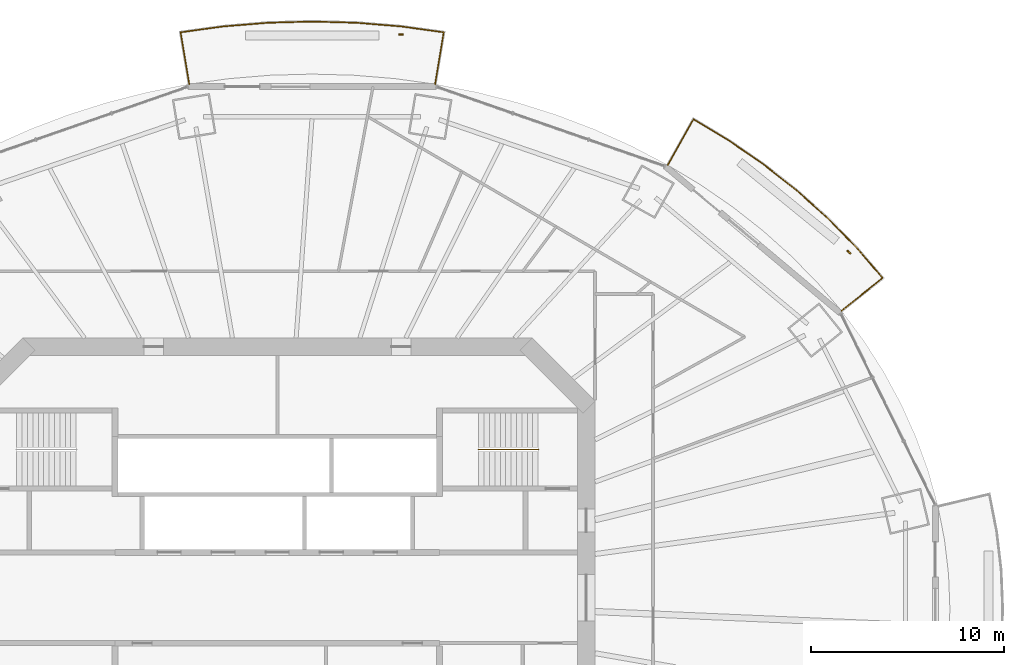
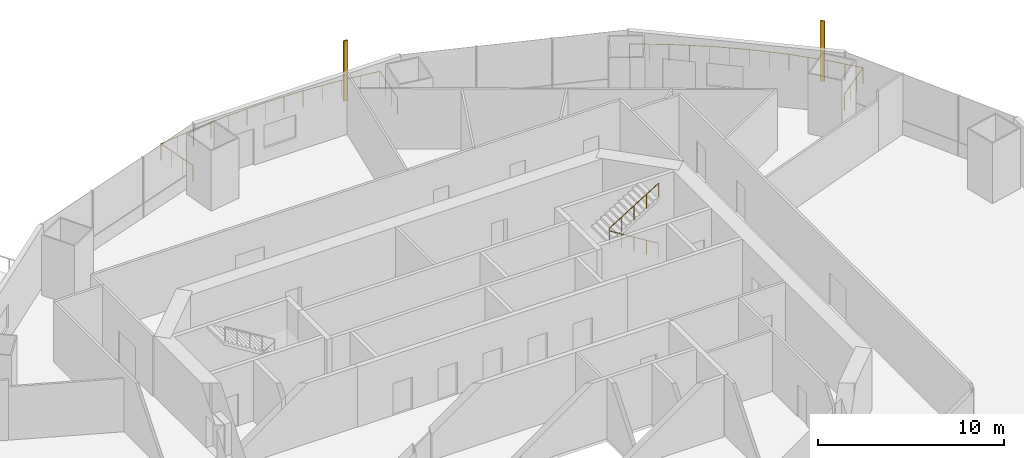
# One storey, part 19 of 21: 3 railings, 2 shading devices.
"""IFC4 building model written with IfcOpenShell, lengths in metres."""

from ifc_helpers import new_model, si_unit, direction, frame, origin, origin_2d, place, context, subcontext, project, spatial, rectangle, circle, extrude, material, material_profile, profile_set, type_object, element, save


model = new_model("IFC4")

# Units and contexts
model_context = context("Model", 3, precision=1e-05, world=origin(), true_north=direction((0.0, 1.0)))
body_context = subcontext(model_context, "Body", "Model", "MODEL_VIEW")
ifc_project = project(units=[si_unit("LENGTHUNIT", "METRE"), si_unit("AREAUNIT", "SQUARE_METRE"), si_unit("VOLUMEUNIT", "CUBIC_METRE"), si_unit("PLANEANGLEUNIT", "RADIAN"), si_unit("MASSUNIT", "GRAM", prefix="KILO")], contexts=[model_context])

# Site, building, storey
site_placement = place(None, origin())
site = spatial("IfcSite", under=ifc_project, at=site_placement, CompositionType="ELEMENT")
building_placement = place(site_placement, origin())
building = spatial("IfcBuilding", under=site, at=building_placement, Name="Marenthal Gate Tower", CompositionType="ELEMENT")
storey_placement = place(building_placement, frame((0.0, 0.0, 169.35009765625)))
storey = spatial("IfcBuildingStorey", under=building, at=storey_placement, Name="L36", CompositionType="ELEMENT", Elevation=169.35009765625)

# Railings
ifc_material_1 = material(Name="Stainless steel", Category="steel")
railing_type_1 = type_object("IfcRailingType", Name="Balcony guard 1100", PredefinedType="GUARDRAIL", material=ifc_material_1)
railing_1_placement = place(storey_placement, frame((20.214111328125, 22.402587890625, 0.0)))
element("IfcRailing", 1, at=railing_1_placement, inside=storey, type_object=railing_type_1, Name="Balcony guard L36 bay 2", PredefinedType="GUARDRAIL", context=body_context, shape_type="SweptSolid", body=[
    extrude(circle(Radius=0.02392578125, at=origin_2d()), frame((0.0, 0.0, 1.076171875), z_axis=(0.489411085686, 0.871928974406, -0.014719130397), x_axis=(-0.872023442683, 0.489464110443, 0.0)), (0.0, 0.0, 1.0), 2.72021484375),
    extrude(circle(Radius=0.02392578125, at=origin_2d()), frame((1.331298828125, 2.371826171875, 1.0361328125), z_axis=(0.856361121068, -0.516377410741, 0.0), x_axis=(0.516377410741, 0.856361121068, 0.0)), (0.0, 0.0, 1.0), 2.135498046875),
    extrude(circle(Radius=0.02392578125, at=origin_2d()), frame((3.16015625, 1.26904296875, 1.0361328125), z_axis=(0.823545660097, -0.567249985223, 0.0), x_axis=(0.567249985223, 0.823545660097, 0.0)), (0.0, 0.0, 1.0), 2.197509765625),
    extrude(circle(Radius=0.02392578125, at=origin_2d()), frame((4.969970703125, 0.0224609375, 1.0361328125), z_axis=(0.786162827468, -0.618019424215, 0.0), x_axis=(0.618019424215, 0.786162827468, 0.0)), (0.0, 0.0, 1.0), 2.179443359375),
    extrude(circle(Radius=0.02392578125, at=origin_2d()), frame((6.683349609375, -1.324462890625, 1.0361328125), z_axis=(0.744691426394, -0.667408929709, 0.0), x_axis=(0.667408929709, 0.744691426394, 0.0)), (0.0, 0.0, 1.0), 2.160888671875),
    extrude(circle(Radius=0.02392578125, at=origin_2d()), frame((8.29248046875, -2.7666015625, 1.0361328125), z_axis=(0.699082666614, -0.715040855644, 0.0), x_axis=(0.715040855644, 0.699082666614, 0.0)), (0.0, 0.0, 1.0), 2.141845703125),
    extrude(circle(Radius=0.02392578125, at=origin_2d()), frame((9.789794921875, -4.298095703125, 1.0361328125), z_axis=(0.650348633752, -0.759635869727, 0.0), x_axis=(0.759635869727, 0.650348633752, 0.0)), (0.0, 0.0, 1.0), 2.0439453125),
    extrude(circle(Radius=0.02392578125, at=origin_2d()), frame((11.119140625, -5.850830078125, 1.0361328125), z_axis=(-0.782541115897, -0.622424892619, 0.014719204382), x_axis=(0.622492329303, -0.782625900388, 0.0)), (0.0, 0.0, 1.0), 2.72021484375),
    extrude(circle(Radius=0.02099609375, at=origin_2d()), origin(), (0.0, 0.0, 1.0), 1.052001953125),
    extrude(circle(Radius=0.02099609375, at=origin_2d()), frame((0.44384765625, 0.79052734375, -0.013427734375)), (0.0, 0.0, 1.0), 1.052001953125),
    extrude(circle(Radius=0.02099609375, at=origin_2d()), frame((0.887451171875, 1.581298828125, -0.026611328125)), (0.0, 0.0, 1.0), 1.052001953125),
    extrude(circle(Radius=0.02099609375, at=origin_2d()), frame((1.331298828125, 2.371826171875, -0.0400390625)), (0.0, 0.0, 1.0), 1.052001953125),
    extrude(circle(Radius=0.02099609375, at=origin_2d()), frame((2.24560546875, 1.8203125, -0.0400390625)), (0.0, 0.0, 1.0), 1.052001953125),
    extrude(circle(Radius=0.02099609375, at=origin_2d()), frame((3.16015625, 1.26904296875, -0.0400390625)), (0.0, 0.0, 1.0), 1.052001953125),
    extrude(circle(Radius=0.02099609375, at=origin_2d()), frame((4.06494140625, 0.645751953125, -0.0400390625)), (0.0, 0.0, 1.0), 1.052001953125),
    extrude(circle(Radius=0.02099609375, at=origin_2d()), frame((4.969970703125, 0.0224609375, -0.0400390625)), (0.0, 0.0, 1.0), 1.052001953125),
    extrude(circle(Radius=0.02099609375, at=origin_2d()), frame((5.82666015625, -0.65087890625, -0.0400390625)), (0.0, 0.0, 1.0), 1.052001953125),
    extrude(circle(Radius=0.02099609375, at=origin_2d()), frame((6.683349609375, -1.324462890625, -0.0400390625)), (0.0, 0.0, 1.0), 1.052001953125),
    extrude(circle(Radius=0.02099609375, at=origin_2d()), frame((7.48779296875, -2.04541015625, -0.0400390625)), (0.0, 0.0, 1.0), 1.052001953125),
    extrude(circle(Radius=0.02099609375, at=origin_2d()), frame((8.29248046875, -2.7666015625, -0.0400390625)), (0.0, 0.0, 1.0), 1.052001953125),
    extrude(circle(Radius=0.02099609375, at=origin_2d()), frame((9.041015625, -3.5322265625, -0.0400390625)), (0.0, 0.0, 1.0), 1.052001953125),
    extrude(circle(Radius=0.02099609375, at=origin_2d()), frame((9.789794921875, -4.298095703125, -0.0400390625)), (0.0, 0.0, 1.0), 1.052001953125),
    extrude(circle(Radius=0.02099609375, at=origin_2d()), frame((10.45458984375, -5.074462890625, -0.0400390625)), (0.0, 0.0, 1.0), 1.052001953125),
    extrude(circle(Radius=0.02099609375, at=origin_2d()), frame((11.119140625, -5.850830078125, -0.0400390625)), (0.0, 0.0, 1.0), 1.052001953125),
    extrude(circle(Radius=0.02099609375, at=origin_2d()), frame((10.40966796875, -6.415283203125, -0.026611328125)), (0.0, 0.0, 1.0), 1.052001953125),
    extrude(circle(Radius=0.02099609375, at=origin_2d()), frame((9.699951171875, -6.9794921875, -0.013427734375)), (0.0, 0.0, 1.0), 1.052001953125),
    extrude(circle(Radius=0.02099609375, at=origin_2d()), frame((8.990478515625, -7.5439453125, 0.0)), (0.0, 0.0, 1.0), 1.052001953125),
])
railing_2_placement = place(storey_placement, frame((-4.562744140625, 26.5927734375, 0.0)))
element("IfcRailing", 2, at=railing_2_placement, inside=storey, type_object=railing_type_1, Name="Balcony guard L36 bay 4", PredefinedType="GUARDRAIL", context=body_context, shape_type="SweptSolid", body=[
    extrude(circle(Radius=0.02392578125, at=origin_2d()), frame((0.0, 0.0, 1.076171875), z_axis=(-0.164788694753, 0.986219051168, -0.014719687331), x_axis=(-0.986325910177, -0.164806549971, 0.0)), (0.0, 0.0, 1.0), 2.72021484375),
    extrude(circle(Radius=0.02392578125, at=origin_2d()), frame((-0.4482421875, 2.6826171875, 1.0361328125), z_axis=(0.990667720478, 0.136299184159, 0.0), x_axis=(-0.136299184159, 0.990667720478, 0.0)), (0.0, 0.0, 1.0), 2.222900390625),
    extrude(circle(Radius=0.02392578125, at=origin_2d()), frame((1.75390625, 2.985595703125, 1.0361328125), z_axis=(0.996598092029, 0.082415065148, 0.0), x_axis=(-0.082415065148, 0.996598092029, 0.0)), (0.0, 0.0, 1.0), 2.3076171875),
    extrude(circle(Radius=0.02392578125, at=origin_2d()), frame((4.0537109375, 3.17578125, 1.0361328125), z_axis=(0.999622365191, 0.027479574429, 0.0), x_axis=(-0.027479574429, 0.999622365191, 0.0)), (0.0, 0.0, 1.0), 2.31005859375),
    extrude(circle(Radius=0.02392578125, at=origin_2d()), frame((6.36279296875, 3.2392578125, 1.0361328125), z_axis=(0.999622365191, -0.027479574429, 0.0), x_axis=(0.027479574429, 0.999622365191, 0.0)), (0.0, 0.0, 1.0), 2.31005859375),
    extrude(circle(Radius=0.02392578125, at=origin_2d()), frame((8.671875, 3.17578125, 1.0361328125), z_axis=(0.996597373324, -0.082423755581, 0.0), x_axis=(0.082423755581, 0.996597373324, 0.0)), (0.0, 0.0, 1.0), 2.307373046875),
    extrude(circle(Radius=0.02392578125, at=origin_2d()), frame((10.971435546875, 2.985595703125, 1.0361328125), z_axis=(0.990669760511, -0.136284355703, 0.0), x_axis=(0.136284355703, 0.990669760511, 0.0)), (0.0, 0.0, 1.0), 2.22314453125),
    extrude(circle(Radius=0.02392578125, at=origin_2d()), frame((13.173828125, 2.6826171875, 1.0361328125), z_axis=(-0.164788694753, -0.986219051168, 0.014719687331), x_axis=(0.986325910177, -0.164806549971, 0.0)), (0.0, 0.0, 1.0), 2.72021484375),
    extrude(circle(Radius=0.02099609375, at=origin_2d()), origin(), (0.0, 0.0, 1.0), 1.052001953125),
    extrude(circle(Radius=0.02099609375, at=origin_2d()), frame((-0.1494140625, 0.894287109375, -0.013427734375)), (0.0, 0.0, 1.0), 1.052001953125),
    extrude(circle(Radius=0.02099609375, at=origin_2d()), frame((-0.298828125, 1.788330078125, -0.026611328125)), (0.0, 0.0, 1.0), 1.052001953125),
    extrude(circle(Radius=0.02099609375, at=origin_2d()), frame((-0.4482421875, 2.6826171875, -0.0400390625)), (0.0, 0.0, 1.0), 1.052001953125),
    extrude(circle(Radius=0.02099609375, at=origin_2d()), frame((0.65283203125, 2.833984375, -0.0400390625)), (0.0, 0.0, 1.0), 1.052001953125),
    extrude(circle(Radius=0.02099609375, at=origin_2d()), frame((1.75390625, 2.985595703125, -0.0400390625)), (0.0, 0.0, 1.0), 1.052001953125),
    extrude(circle(Radius=0.02099609375, at=origin_2d()), frame((2.90380859375, 3.08056640625, -0.0400390625)), (0.0, 0.0, 1.0), 1.052001953125),
    extrude(circle(Radius=0.02099609375, at=origin_2d()), frame((4.0537109375, 3.17578125, -0.0400390625)), (0.0, 0.0, 1.0), 1.052001953125),
    extrude(circle(Radius=0.02099609375, at=origin_2d()), frame((5.208251953125, 3.20751953125, -0.0400390625)), (0.0, 0.0, 1.0), 1.052001953125),
    extrude(circle(Radius=0.02099609375, at=origin_2d()), frame((6.36279296875, 3.2392578125, -0.0400390625)), (0.0, 0.0, 1.0), 1.052001953125),
    extrude(circle(Radius=0.02099609375, at=origin_2d()), frame((7.517333984375, 3.20751953125, -0.0400390625)), (0.0, 0.0, 1.0), 1.052001953125),
    extrude(circle(Radius=0.02099609375, at=origin_2d()), frame((8.671875, 3.17578125, -0.0400390625)), (0.0, 0.0, 1.0), 1.052001953125),
    extrude(circle(Radius=0.02099609375, at=origin_2d()), frame((9.82177734375, 3.08056640625, -0.0400390625)), (0.0, 0.0, 1.0), 1.052001953125),
    extrude(circle(Radius=0.02099609375, at=origin_2d()), frame((10.971435546875, 2.985595703125, -0.0400390625)), (0.0, 0.0, 1.0), 1.052001953125),
    extrude(circle(Radius=0.02099609375, at=origin_2d()), frame((12.07275390625, 2.833984375, -0.0400390625)), (0.0, 0.0, 1.0), 1.052001953125),
    extrude(circle(Radius=0.02099609375, at=origin_2d()), frame((13.173828125, 2.6826171875, -0.0400390625)), (0.0, 0.0, 1.0), 1.052001953125),
    extrude(circle(Radius=0.02099609375, at=origin_2d()), frame((13.0244140625, 1.788330078125, -0.026611328125)), (0.0, 0.0, 1.0), 1.052001953125),
    extrude(circle(Radius=0.02099609375, at=origin_2d()), frame((12.875, 0.894287109375, -0.013427734375)), (0.0, 0.0, 1.0), 1.052001953125),
    extrude(circle(Radius=0.02099609375, at=origin_2d()), frame((12.7255859375, 0.0, 0.0)), (0.0, 0.0, 1.0), 1.052001953125),
])
ifc_material_2 = material(Name="Stainless steel", Category="steel")
railing_type_2 = type_object("IfcRailingType", Name="Stair handrail", PredefinedType="HANDRAIL", material=ifc_material_2)
railing_3_placement = place(storey_placement, frame((13.5, 7.675048828125, 0.1728515625)))
element("IfcRailing", 3, at=railing_3_placement, inside=storey, type_object=railing_type_2, Name="Handrail ST3", PredefinedType="HANDRAIL", context=body_context, shape_type="SweptSolid", body=[
    extrude(circle(Radius=0.0224609375, at=origin_2d()), frame((0.0, 0.0, 0.927490234375), z_axis=(-0.850835241893, 0.0, 0.525432575268), x_axis=(0.0, -1.0, 0.0)), (0.0, 0.0, 1.0), 3.6201171875),
    extrude(circle(Radius=0.0224609375, at=origin_2d()), frame((-3.080078125, 0.0, 2.82958984375), z_axis=(0.0, 0.0, 1.0), x_axis=(1.0, 0.0, 0.0)), (0.0, 0.0, 1.0), 0.1728515625),
    extrude(circle(Radius=0.0224609375, at=origin_2d()), frame((-3.080078125, 0.0, 3.00244140625), z_axis=(0.850835241893, 0.0, 0.525432575268), x_axis=(0.0, 1.0, 0.0)), (0.0, 0.0, 1.0), 3.6201171875),
    extrude(circle(Radius=0.02001953125, at=origin_2d()), origin(), (0.0, 0.0, 1.0), 0.905029296875),
    extrude(circle(Radius=0.02001953125, at=origin_2d()), frame((-0.77001953125, 0.0, 0.4755859375)), (0.0, 0.0, 1.0), 0.905029296875),
    extrude(circle(Radius=0.02001953125, at=origin_2d()), frame((-1.5400390625, 0.0, 0.951171875)), (0.0, 0.0, 1.0), 0.905029296875),
    extrude(circle(Radius=0.02001953125, at=origin_2d()), frame((-2.31005859375, 0.0, 1.426513671875)), (0.0, 0.0, 1.0), 0.905029296875),
    extrude(circle(Radius=0.02001953125, at=origin_2d()), frame((-3.080078125, 0.0, 1.902099609375)), (0.0, 0.0, 1.0), 0.905029296875),
    extrude(circle(Radius=0.02001953125, at=origin_2d()), frame((-3.080078125, 0.0, 2.074951171875)), (0.0, 0.0, 1.0), 0.905029296875),
    extrude(circle(Radius=0.02001953125, at=origin_2d()), frame((-2.31005859375, 0.0, 2.550537109375)), (0.0, 0.0, 1.0), 0.905029296875),
    extrude(circle(Radius=0.02001953125, at=origin_2d()), frame((-1.5400390625, 0.0, 3.02587890625)), (0.0, 0.0, 1.0), 0.905029296875),
    extrude(circle(Radius=0.02001953125, at=origin_2d()), frame((-0.77001953125, 0.0, 3.50146484375)), (0.0, 0.0, 1.0), 0.905029296875),
    extrude(circle(Radius=0.02001953125, at=origin_2d()), frame((0.0, 0.0, 3.97705078125)), (0.0, 0.0, 1.0), 0.905029296875),
])

# Shading devices
ifc_material_3 = material(Name="Terracotta", Category="masonry")
ifc_material_profile = material_profile(ifc_material_3, rectangle(XDim=0.25, YDim=0.080078125, at=origin_2d()), Name="Terracotta baguette 250x80")
ifc_profile_set = profile_set([ifc_material_profile], Name="Terracotta")
shading_device_type = type_object("IfcShadingDeviceType", Name="Terracotta BAGUETTE SCREEN 250x80", PredefinedType="USERDEFINED", material=ifc_profile_set)
for number, where, z_axis, x_axis, name in (
    (4, (29.590576171875, 17.891357421875, -0.0400390625), (0.0, 0.0, 1.0), (-0.765921119211, 0.642934552771, 0.0), "Terracotta BAGUETTE L36 bay 2L"),
    (5, (6.40283203125, 29.156005859375, -0.0400390625), (0.0, 0.0, 1.0), (-1.0, 0.0, 0.0), "Terracotta BAGUETTE L36 bay 4L"),
):
    element("IfcShadingDevice", number, at=place(storey_placement, frame(where, z_axis=z_axis, x_axis=x_axis)), inside=storey, type_object=shading_device_type, Name=name, ObjectType="BAGUETTE SCREEN", PredefinedType="USERDEFINED", context=body_context, shape_type="SweptSolid", body=[
        extrude(rectangle(XDim=0.25, YDim=0.080078125, at=origin_2d()), origin(), (0.0, 0.0, 1.0), 3.969970703125),
    ])

save(model, "model.ifc")
